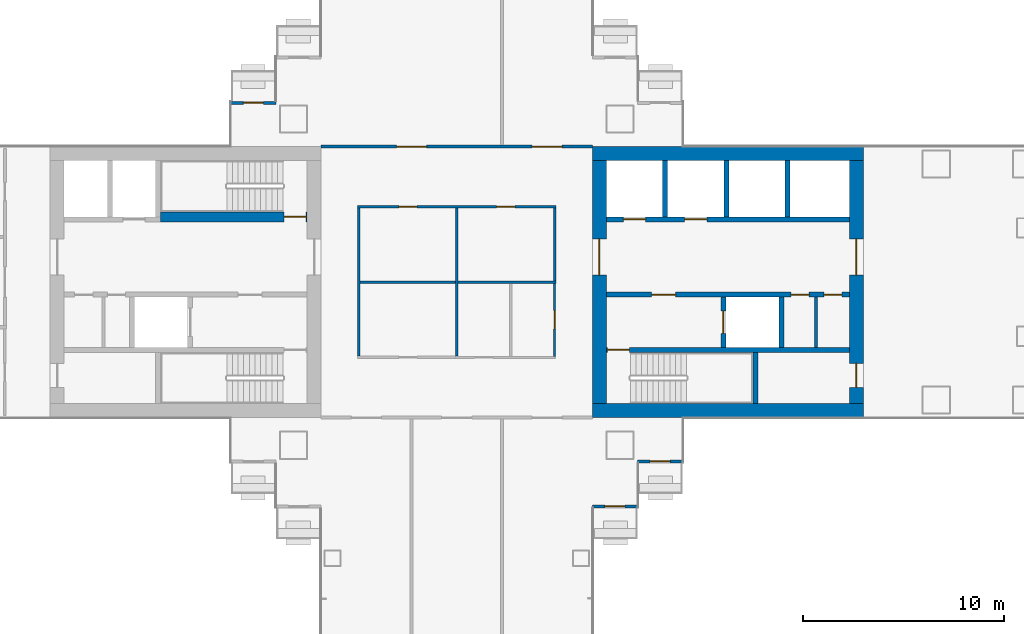
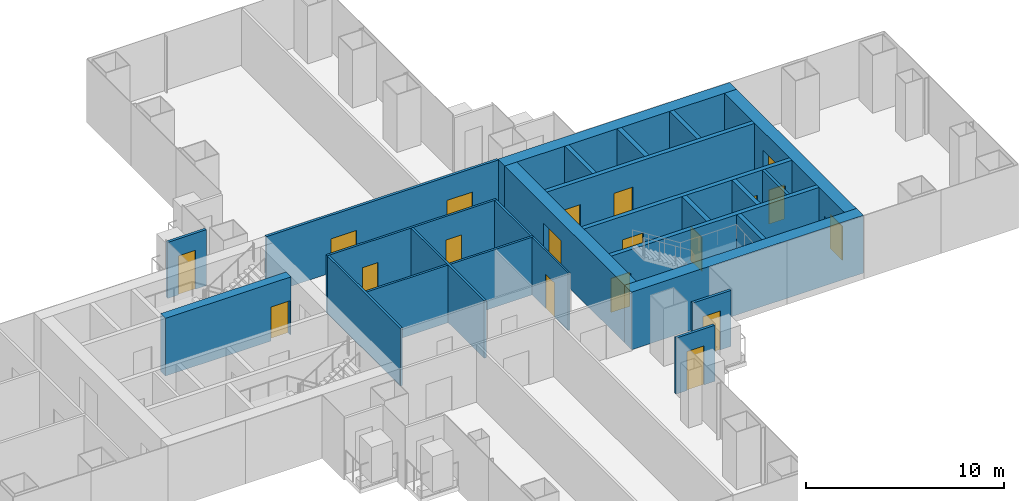
# One storey, part 14 of 21: 25 walls, 19 doors, 19 openings.
"""IFC4 building model written with IfcOpenShell, lengths in metres."""

from ifc_helpers import new_model, si_unit, direction, frame, frame_2d, origin, place, context, subcontext, project, spatial, rectangle, extrude, material, layer, layer_set, type_object, element, fill, save


model = new_model("IFC4")

# Units and contexts
model_context = context("Model", 3, precision=1e-05, world=origin(), true_north=direction((0.0, 1.0)))
body_context = subcontext(model_context, "Body", "Model", "MODEL_VIEW")
ifc_project = project(units=[si_unit("LENGTHUNIT", "METRE"), si_unit("AREAUNIT", "SQUARE_METRE"), si_unit("VOLUMEUNIT", "CUBIC_METRE"), si_unit("PLANEANGLEUNIT", "RADIAN"), si_unit("MASSUNIT", "GRAM", prefix="KILO")], contexts=[model_context])

# Site, building, storey
site_placement = place(None, origin())
site = spatial("IfcSite", under=ifc_project, at=site_placement, CompositionType="ELEMENT")
building_placement = place(site_placement, origin())
building = spatial("IfcBuilding", under=site, at=building_placement, Name="Shamsa Quay Exchange Towers", CompositionType="ELEMENT")
storey_placement = place(building_placement, frame((0.0, 0.0, 42.0)))
storey = spatial("IfcBuildingStorey", under=building, at=storey_placement, Name="L08", CompositionType="ELEMENT", Elevation=42.0)

# Wall, opening, door
ifc_material_1 = material(Name="Aluminium EN AW-6063 T6, black anodised, with black enamelled glass infill", Category="aluminium")
ifc_layer_1 = layer(ifc_material_1, 0.14990234375)
ifc_layer_set_1 = layer_set([ifc_layer_1], Name="BALCONY DOOR BAY WALL 150")
wall_type_1 = type_object("IfcWallType", Name="BALCONY DOOR BAY WALL 150", PredefinedType="SOLIDWALL", material=ifc_layer_set_1)
wall_1_placement = place(storey_placement, frame((-22.5, -8.925048828125, 0.0), z_axis=(0.0, 0.0, 1.0), x_axis=(-1.0, 0.0, 0.0)))
wall_1 = element("IfcWall", 1, at=wall_1_placement, inside=storey, type_object=wall_type_1, Name="Door bay T1-PKES L08", PredefinedType="SOLIDWALL", context=body_context, shape_type="SweptSolid", body=[
    extrude(rectangle(XDim=2.25, YDim=0.14990234375, at=frame_2d((1.125, 0.0))), origin(), (0.0, 0.0, 1.0), 3.449951171875),
])
opening_1_placement = place(wall_1_placement, frame((0.625, 0.0, 0.0)))
opening_1 = element("IfcOpeningElement", 2, at=opening_1_placement, cuts=wall_1, Name="Opening XD043", PredefinedType="OPENING", context=body_context, shape_type="SweptSolid", body=[
    extrude(rectangle(XDim=1.0, YDim=2.39990234375, at=frame_2d((0.5, 1.199951171875))), frame((0.0, 0.0849609375, 0.0), z_axis=(0.0, -1.0, 0.0), x_axis=(1.0, 0.0, 0.0)), (0.0, 0.0, 1.0), 0.169921875),
])
ifc_material_2 = material(Name="Aluminium EN AW-6063 T6, black anodised, with laminated glass leaf", Category="aluminium")
door_type_1 = type_object("IfcDoorType", Name="BALCONY DOOR 1000x2400", OperationType="SINGLE_SWING_LEFT", PredefinedType="DOOR", material=ifc_material_2)
door_1_placement = place(opening_1_placement, origin())
door_1 = element("IfcDoor", 3, at=door_1_placement, inside=storey, type_object=door_type_1, Name="Balcony door T1-PKES L08", OperationType="SINGLE_SWING_RIGHT", OverallHeight=2.39990234375, OverallWidth=1.0, PredefinedType="DOOR", context=body_context, shape_type="SweptSolid", body=[
    extrude(rectangle(XDim=1.0, YDim=2.39990234375, at=frame_2d((0.5, 1.199951171875))), frame((0.0, 0.02490234375, 0.0), z_axis=(0.0, -1.0, 0.0), x_axis=(1.0, 0.0, 0.0)), (0.0, 0.0, 1.0), 0.050048828125),
])
fill(opening_1, door_1)

wall_2_placement = place(storey_placement, frame((-24.75, -11.175048828125, 0.0), z_axis=(0.0, 0.0, 1.0), x_axis=(-1.0, 0.0, 0.0)))
wall_2 = element("IfcWall", 4, at=wall_2_placement, inside=storey, type_object=wall_type_1, Name="Door bay T1-PKES L08", PredefinedType="SOLIDWALL", context=body_context, shape_type="SweptSolid", body=[
    extrude(rectangle(XDim=2.25, YDim=0.14990234375, at=frame_2d((1.125, 0.0))), origin(), (0.0, 0.0, 1.0), 3.449951171875),
])
opening_2_placement = place(wall_2_placement, frame((0.625, 0.0, 0.0)))
opening_2 = element("IfcOpeningElement", 5, at=opening_2_placement, cuts=wall_2, Name="Opening XD044", PredefinedType="OPENING", context=body_context, shape_type="SweptSolid", body=[
    extrude(rectangle(XDim=1.0, YDim=2.39990234375, at=frame_2d((0.5, 1.199951171875))), frame((0.0, 0.0849609375, 0.0), z_axis=(0.0, -1.0, 0.0), x_axis=(1.0, 0.0, 0.0)), (0.0, 0.0, 1.0), 0.169921875),
])
door_2_placement = place(opening_2_placement, origin())
door_2 = element("IfcDoor", 6, at=door_2_placement, inside=storey, type_object=door_type_1, Name="Balcony door T1-PKES L08", OperationType="SINGLE_SWING_LEFT", OverallHeight=2.39990234375, OverallWidth=1.0, PredefinedType="DOOR", context=body_context, shape_type="SweptSolid", body=[
    extrude(rectangle(XDim=1.0, YDim=2.39990234375, at=frame_2d((0.5, 1.199951171875))), frame((0.0, 0.02490234375, 0.0), z_axis=(0.0, -1.0, 0.0), x_axis=(1.0, 0.0, 0.0)), (0.0, 0.0, 1.0), 0.050048828125),
])
fill(opening_2, door_2)

wall_3_placement = place(storey_placement, frame((-45.0, 8.925048828125, 0.0)))
wall_3 = element("IfcWall", 7, at=wall_3_placement, inside=storey, type_object=wall_type_1, Name="Door bay T1-PKWN L08", PredefinedType="SOLIDWALL", context=body_context, shape_type="SweptSolid", body=[
    extrude(rectangle(XDim=2.25, YDim=0.14990234375, at=frame_2d((1.125, 0.0))), origin(), (0.0, 0.0, 1.0), 3.449951171875),
])
opening_3_placement = place(wall_3_placement, frame((0.625, 0.0, 0.0)))
opening_3 = element("IfcOpeningElement", 8, at=opening_3_placement, cuts=wall_3, Name="Opening XD046", PredefinedType="OPENING", context=body_context, shape_type="SweptSolid", body=[
    extrude(rectangle(XDim=1.0, YDim=2.39990234375, at=frame_2d((0.5, 1.199951171875))), frame((0.0, 0.0849609375, 0.0), z_axis=(0.0, -1.0, 0.0), x_axis=(1.0, 0.0, 0.0)), (0.0, 0.0, 1.0), 0.169921875),
])
door_3_placement = place(opening_3_placement, origin())
door_3 = element("IfcDoor", 9, at=door_3_placement, inside=storey, type_object=door_type_1, Name="Balcony door T1-PKWN L08", OperationType="SINGLE_SWING_RIGHT", OverallHeight=2.39990234375, OverallWidth=1.0, PredefinedType="DOOR", context=body_context, shape_type="SweptSolid", body=[
    extrude(rectangle(XDim=1.0, YDim=2.39990234375, at=frame_2d((0.5, 1.199951171875))), frame((0.0, 0.02490234375, 0.0), z_axis=(0.0, -1.0, 0.0), x_axis=(1.0, 0.0, 0.0)), (0.0, 0.0, 1.0), 0.050048828125),
])
fill(opening_3, door_3)

# Walls
ifc_material_3 = material(Name="Concrete C80/95", Category="concrete")
ifc_layer_2 = layer(ifc_material_3, 0.699951171875)
ifc_layer_set_2 = layer_set([ifc_layer_2], Name="CORE WALL 700 C80/95")
wall_type_2 = type_object("IfcWallType", Name="CORE WALL 700 C80/95", PredefinedType="SHEAR", material=ifc_layer_set_2)
for number, where, name in (
    (10, (-27.0, -6.39990234375, 0.0), "Core wall T1A-R03-PS"),
    (11, (-27.0, 6.39990234375, 0.0), "Core wall T1A-R03-PN"),
):
    element("IfcWall", number, at=place(storey_placement, frame(where)), inside=storey, type_object=wall_type_2, Name=name, PredefinedType="SHEAR", context=body_context, shape_type="SweptSolid", body=[
        extrude(rectangle(XDim=13.5, YDim=0.699951171875, at=frame_2d((6.75, 0.0))), origin(), (0.0, 0.0, 1.0), 3.550048828125),
    ])

# Wall, opening, door
wall_4_placement = place(storey_placement, frame((-26.64990234375, 6.050048828125, 0.0), z_axis=(0.0, 0.0, 1.0), x_axis=(0.0, -1.0, 0.0)))
wall_4 = element("IfcWall", 12, at=wall_4_placement, inside=storey, type_object=wall_type_2, Name="Core wall T1A-R03-PF", PredefinedType="SHEAR", context=body_context, shape_type="SweptSolid", body=[
    extrude(rectangle(XDim=12.10009765625, YDim=0.699951171875, at=frame_2d((6.050048828125, 0.0))), origin(), (0.0, 0.0, 1.0), 3.550048828125),
])
opening_4_placement = place(wall_4_placement, frame((3.89990234375, 0.0, 0.0)))
opening_4 = element("IfcOpeningElement", 13, at=opening_4_placement, cuts=wall_4, Name="Opening T1A-R03-LBD01", PredefinedType="OPENING", context=body_context, shape_type="SweptSolid", body=[
    extrude(rectangle(XDim=1.800048828125, YDim=2.39990234375, at=frame_2d((0.89990234375, 1.199951171875))), frame((0.0, 0.35986328125, 0.0), z_axis=(0.0, -1.0, 0.0), x_axis=(1.0, 0.0, 0.0)), (0.0, 0.0, 1.0), 0.719970703125),
])
ifc_material_4 = material(Name="Steel, fire rated", Category="steel")
door_type_2 = type_object("IfcDoorType", Name="LIFT LOBBY DOOR PAIR 1800", OperationType="DOUBLE_DOOR_SINGLE_SWING", PredefinedType="DOOR", material=ifc_material_4)
door_4_placement = place(opening_4_placement, origin())
door_4 = element("IfcDoor", 14, at=door_4_placement, inside=storey, type_object=door_type_2, Name="T1A-R03-LBD01", OperationType="DOUBLE_DOOR_SINGLE_SWING", OverallHeight=2.39990234375, OverallWidth=1.800048828125, PredefinedType="DOOR", context=body_context, shape_type="SweptSolid", body=[
    extrude(rectangle(XDim=1.800048828125, YDim=2.39990234375, at=frame_2d((0.89990234375, 1.199951171875))), frame((0.0, 0.02490234375, 0.0), z_axis=(0.0, -1.0, 0.0), x_axis=(1.0, 0.0, 0.0)), (0.0, 0.0, 1.0), 0.050048828125),
])
fill(opening_4, door_4)

# Wall, openings, doors
wall_5_placement = place(storey_placement, frame((-13.85009765625, 6.050048828125, 0.0), z_axis=(0.0, 0.0, 1.0), x_axis=(0.0, -1.0, 0.0)))
wall_5 = element("IfcWall", 15, at=wall_5_placement, inside=storey, type_object=wall_type_2, Name="Core wall T1A-R03-PB", PredefinedType="SHEAR", context=body_context, shape_type="SweptSolid", body=[
    extrude(rectangle(XDim=12.10009765625, YDim=0.699951171875, at=frame_2d((6.050048828125, 0.0))), origin(), (0.0, 0.0, 1.0), 3.550048828125),
])
opening_5_placement = place(wall_5_placement, frame((10.10009765625, 0.0, 0.0)))
opening_5 = element("IfcOpeningElement", 16, at=opening_5_placement, cuts=wall_5, Name="Opening T1A-R03-RD02", PredefinedType="OPENING", context=body_context, shape_type="SweptSolid", body=[
    extrude(rectangle(XDim=1.199951171875, YDim=2.10009765625, at=frame_2d((0.60009765625, 1.050048828125))), frame((0.0, 0.35986328125, 0.0), z_axis=(0.0, -1.0, 0.0), x_axis=(1.0, 0.0, 0.0)), (0.0, 0.0, 1.0), 0.719970703125),
])
opening_6_placement = place(wall_5_placement, frame((3.89990234375, 0.0, 0.0)))
opening_6 = element("IfcOpeningElement", 17, at=opening_6_placement, cuts=wall_5, Name="Opening T1A-R03-LBD03", PredefinedType="OPENING", context=body_context, shape_type="SweptSolid", body=[
    extrude(rectangle(XDim=1.800048828125, YDim=2.39990234375, at=frame_2d((0.89990234375, 1.199951171875))), frame((0.0, 0.35986328125, 0.0), z_axis=(0.0, -1.0, 0.0), x_axis=(1.0, 0.0, 0.0)), (0.0, 0.0, 1.0), 0.719970703125),
])
door_5_placement = place(opening_6_placement, origin())
door_5 = element("IfcDoor", 18, at=door_5_placement, inside=storey, type_object=door_type_2, Name="T1A-R03-LBD03", OperationType="DOUBLE_DOOR_SINGLE_SWING", OverallHeight=2.39990234375, OverallWidth=1.800048828125, PredefinedType="DOOR", context=body_context, shape_type="SweptSolid", body=[
    extrude(rectangle(XDim=1.800048828125, YDim=2.39990234375, at=frame_2d((0.89990234375, 1.199951171875))), frame((0.0, 0.02490234375, 0.0), z_axis=(0.0, -1.0, 0.0), x_axis=(1.0, 0.0, 0.0)), (0.0, 0.0, 1.0), 0.050048828125),
])
fill(opening_6, door_5)
door_type_3 = type_object("IfcDoorType", Name="RISER ACCESS DOOR 1200", OperationType="SINGLE_SWING_LEFT", PredefinedType="DOOR", material=ifc_material_4)
door_6_placement = place(opening_5_placement, origin())
door_6 = element("IfcDoor", 19, at=door_6_placement, inside=storey, type_object=door_type_3, Name="T1A-R03-RD02", OperationType="SINGLE_SWING_RIGHT", OverallHeight=2.10009765625, OverallWidth=1.199951171875, PredefinedType="DOOR", context=body_context, shape_type="SweptSolid", body=[
    extrude(rectangle(XDim=1.199951171875, YDim=2.10009765625, at=frame_2d((0.60009765625, 1.050048828125))), frame((0.0, 0.02490234375, 0.0), z_axis=(0.0, -1.0, 0.0), x_axis=(1.0, 0.0, 0.0)), (0.0, 0.0, 1.0), 0.050048828125),
])
fill(opening_5, door_6)

# Walls
ifc_material_5 = material(Name="Gypsum board on steel studs, EI 60", Category="steel")
ifc_layer_3 = layer(ifc_material_5, 0.14990234375)
ifc_layer_set_3 = layer_set([ifc_layer_3], Name="FIRE PARTITION 150")
wall_type_3 = type_object("IfcWallType", Name="FIRE PARTITION 150", PredefinedType="PARTITIONING", material=ifc_layer_set_3)
wall_6_placement = place(storey_placement, frame((-15.85009765625, -3.25, 0.0), z_axis=(0.0, 0.0, 1.0), x_axis=(0.0, 1.0, 0.0)))
element("IfcWall", 20, at=wall_6_placement, inside=storey, type_object=wall_type_3, Name="Partition T1A-R03-EC0", PredefinedType="PARTITIONING", context=body_context, shape_type="SweptSolid", body=[
    extrude(rectangle(XDim=2.5, YDim=0.14990234375, at=frame_2d((1.25, 0.0))), origin(), (0.0, 0.0, 1.0), 3.550048828125),
])
ifc_material_6 = material(Name="Laminated fire-resisting glass in a metal frame", Category="glass")
ifc_layer_4 = layer(ifc_material_6, 0.125)
ifc_layer_set_4 = layer_set([ifc_layer_4], Name="Glazed partition 125 mm EI 60")
wall_type_4 = type_object("IfcWallType", Name="Glazed partition 125 mm EI 60", PredefinedType="PARTITIONING", material=ifc_layer_set_4)
wall_7_placement = place(storey_placement, frame((-28.875, 0.0625, 0.0), z_axis=(0.0, 0.0, 1.0), x_axis=(0.0, 1.0, 0.0)))
element("IfcWall", 21, at=wall_7_placement, inside=storey, type_object=wall_type_4, Name="Partition T1-R03-W01", PredefinedType="PARTITIONING", context=body_context, shape_type="SweptSolid", body=[
    extrude(rectangle(XDim=3.625, YDim=0.125, at=frame_2d((1.8125, 0.0))), origin(), (0.0, 0.0, 1.0), 3.550048828125),
])

# Wall, openings, doors
wall_8_placement = place(storey_placement, frame((-28.8125, 3.75, 0.0), z_axis=(0.0, 0.0, 1.0), x_axis=(-1.0, 0.0, 0.0)))
wall_8 = element("IfcWall", 22, at=wall_8_placement, inside=storey, type_object=wall_type_4, Name="Partition T1-R03-W02", PredefinedType="PARTITIONING", context=body_context, shape_type="SweptSolid", body=[
    extrude(rectangle(XDim=9.875, YDim=0.125, at=frame_2d((4.9375, 0.0))), origin(), (0.0, 0.0, 1.0), 3.550048828125),
])
opening_7_placement = place(wall_8_placement, frame((2.050048828125, 0.0, 0.0)))
opening_7 = element("IfcOpeningElement", 23, at=opening_7_placement, cuts=wall_8, Name="Opening T1-R03-D09", PredefinedType="OPENING", context=body_context, shape_type="SweptSolid", body=[
    extrude(rectangle(XDim=0.89990234375, YDim=2.10009765625, at=frame_2d((0.449951171875, 1.050048828125))), frame((0.0, 0.072509765625, 0.0), z_axis=(0.0, -1.0, 0.0), x_axis=(1.0, 0.0, 0.0)), (0.0, 0.0, 1.0), 0.14501953125),
])
opening_8_placement = place(wall_8_placement, frame((6.925048828125, 0.0, 0.0)))
opening_8 = element("IfcOpeningElement", 24, at=opening_8_placement, cuts=wall_8, Name="Opening T1-R03-D10", PredefinedType="OPENING", context=body_context, shape_type="SweptSolid", body=[
    extrude(rectangle(XDim=0.89990234375, YDim=2.10009765625, at=frame_2d((0.449951171875, 1.050048828125))), frame((0.0, 0.072509765625, 0.0), z_axis=(0.0, -1.0, 0.0), x_axis=(1.0, 0.0, 0.0)), (0.0, 0.0, 1.0), 0.14501953125),
])
ifc_material_7 = material(Name="Timber door leaf in a metal frame", Category="wood")
door_type_4 = type_object("IfcDoorType", Name="Door 900x2100 FD30S", OperationType="NOTDEFINED", PredefinedType="DOOR", material=ifc_material_7)
door_7_placement = place(opening_7_placement, origin())
door_7 = element("IfcDoor", 25, at=door_7_placement, inside=storey, type_object=door_type_4, Name="Door T1-R03-D09", OperationType="SINGLE_SWING_RIGHT", OverallHeight=2.10009765625, OverallWidth=0.89990234375, PredefinedType="DOOR", context=body_context, shape_type="SweptSolid", body=[
    extrude(rectangle(XDim=0.89990234375, YDim=2.10009765625, at=frame_2d((0.449951171875, 1.050048828125))), frame((0.0, 0.02490234375, 0.0), z_axis=(0.0, -1.0, 0.0), x_axis=(1.0, 0.0, 0.0)), (0.0, 0.0, 1.0), 0.050048828125),
])
fill(opening_7, door_7)
door_8_placement = place(opening_8_placement, origin())
door_8 = element("IfcDoor", 26, at=door_8_placement, inside=storey, type_object=door_type_4, Name="Door T1-R03-D10", OperationType="SINGLE_SWING_RIGHT", OverallHeight=2.10009765625, OverallWidth=0.89990234375, PredefinedType="DOOR", context=body_context, shape_type="SweptSolid", body=[
    extrude(rectangle(XDim=0.89990234375, YDim=2.10009765625, at=frame_2d((0.449951171875, 1.050048828125))), frame((0.0, 0.02490234375, 0.0), z_axis=(0.0, -1.0, 0.0), x_axis=(1.0, 0.0, 0.0)), (0.0, 0.0, 1.0), 0.050048828125),
])
fill(opening_8, door_8)

# Walls
wall_9_placement = place(storey_placement, frame((-38.625, 3.6875, 0.0), z_axis=(0.0, 0.0, 1.0), x_axis=(0.0, -1.0, 0.0)))
element("IfcWall", 27, at=wall_9_placement, inside=storey, type_object=wall_type_4, Name="Partition T1-R03-W05", PredefinedType="PARTITIONING", context=body_context, shape_type="SweptSolid", body=[
    extrude(rectangle(XDim=7.375, YDim=0.125, at=frame_2d((3.6875, 0.0))), origin(), (0.0, 0.0, 1.0), 3.550048828125),
])
wall_10_placement = place(storey_placement, frame((-38.5625, 0.0, 0.0)))
element("IfcWall", 28, at=wall_10_placement, inside=storey, type_object=wall_type_4, Name="Partition T1-R03-W11", PredefinedType="PARTITIONING", context=body_context, shape_type="SweptSolid", body=[
    extrude(rectangle(XDim=9.75, YDim=0.125, at=frame_2d((4.875, 0.0))), origin(), (0.0, 0.0, 1.0), 3.550048828125),
])
wall_11_placement = place(storey_placement, frame((-33.75, 3.6875, 0.0), z_axis=(0.0, 0.0, 1.0), x_axis=(0.0, -1.0, 0.0)))
element("IfcWall", 29, at=wall_11_placement, inside=storey, type_object=wall_type_4, Name="Partition T1-R03-W12", PredefinedType="PARTITIONING", context=body_context, shape_type="SweptSolid", body=[
    extrude(rectangle(XDim=7.375, YDim=0.125, at=frame_2d((3.6875, 0.0))), origin(), (0.0, 0.0, 1.0), 3.550048828125),
])

# Wall, opening, door
ifc_material_8 = material(Name="Gypsum board partition on metal studs")
ifc_layer_5 = layer(ifc_material_8, 0.10009765625)
ifc_layer_set_5 = layer_set([ifc_layer_5], Name="Partition 100 mm NOT RATED")
wall_type_5 = type_object("IfcWallType", Name="Partition 100 mm NOT RATED", PredefinedType="PARTITIONING", material=ifc_layer_set_5)
wall_12_placement = place(storey_placement, frame((-28.875, -3.699951171875, 0.0), z_axis=(0.0, 0.0, 1.0), x_axis=(0.0, 1.0, 0.0)))
wall_12 = element("IfcWall", 30, at=wall_12_placement, inside=storey, type_object=wall_type_5, Name="Partition T1-R03-W04", PredefinedType="PARTITIONING", context=body_context, shape_type="SweptSolid", body=[
    extrude(rectangle(XDim=3.637451171875, YDim=0.10009765625, at=frame_2d((1.81884765625, 0.0))), origin(), (0.0, 0.0, 1.0), 3.550048828125),
])
opening_9_placement = place(wall_12_placement, frame((1.375, 0.0, 0.0)))
opening_9 = element("IfcOpeningElement", 31, at=opening_9_placement, cuts=wall_12, Name="Opening T1-R03-D08", PredefinedType="OPENING", context=body_context, shape_type="SweptSolid", body=[
    extrude(rectangle(XDim=0.89990234375, YDim=2.10009765625, at=frame_2d((0.449951171875, 1.050048828125))), frame((0.0, 0.06005859375, 0.0), z_axis=(0.0, -1.0, 0.0), x_axis=(1.0, 0.0, 0.0)), (0.0, 0.0, 1.0), 0.1201171875),
])
door_type_5 = type_object("IfcDoorType", Name="Door 900x2100 NOT RATED", OperationType="NOTDEFINED", PredefinedType="DOOR", material=ifc_material_7)
door_9_placement = place(opening_9_placement, origin())
door_9 = element("IfcDoor", 32, at=door_9_placement, inside=storey, type_object=door_type_5, Name="Door T1-R03-D08", OperationType="SINGLE_SWING_LEFT", OverallHeight=2.10009765625, OverallWidth=0.89990234375, PredefinedType="DOOR", context=body_context, shape_type="SweptSolid", body=[
    extrude(rectangle(XDim=0.89990234375, YDim=2.10009765625, at=frame_2d((0.449951171875, 1.050048828125))), frame((0.0, 0.02490234375, 0.0), z_axis=(0.0, -1.0, 0.0), x_axis=(1.0, 0.0, 0.0)), (0.0, 0.0, 1.0), 0.050048828125),
])
fill(opening_9, door_9)

# Wall, openings, doors
ifc_layer_6 = layer(ifc_material_8, 0.14990234375)
ifc_layer_set_6 = layer_set([ifc_layer_6], Name="Partition 150 mm EI 60")
wall_type_6 = type_object("IfcWallType", Name="Partition 150 mm EI 60", PredefinedType="PARTITIONING", material=ifc_layer_set_6)
wall_13_placement = place(storey_placement, frame((-40.5, 6.75, 0.0)))
wall_13 = element("IfcWall", 33, at=wall_13_placement, inside=storey, type_object=wall_type_6, Name="Partition T1-R03-W07", PredefinedType="PARTITIONING", context=body_context, shape_type="SweptSolid", body=[
    extrude(rectangle(XDim=13.5, YDim=0.14990234375, at=frame_2d((6.75, 0.0))), origin(), (0.0, 0.0, 1.0), 3.550048828125),
])
opening_10_placement = place(wall_13_placement, frame((3.75, 0.0, 0.0)))
opening_10 = element("IfcOpeningElement", 34, at=opening_10_placement, cuts=wall_13, Name="Opening T1-R03-D04", PredefinedType="OPENING", context=body_context, shape_type="SweptSolid", body=[
    extrude(rectangle(XDim=1.5, YDim=2.10009765625, at=frame_2d((0.75, 1.050048828125))), frame((0.0, 0.0849609375, 0.0), z_axis=(0.0, -1.0, 0.0), x_axis=(1.0, 0.0, 0.0)), (0.0, 0.0, 1.0), 0.169921875),
])
opening_11_placement = place(wall_13_placement, frame((10.5, 0.0, 0.0)))
opening_11 = element("IfcOpeningElement", 35, at=opening_11_placement, cuts=wall_13, Name="Opening T1-R03-D05", PredefinedType="OPENING", context=body_context, shape_type="SweptSolid", body=[
    extrude(rectangle(XDim=1.5, YDim=2.10009765625, at=frame_2d((0.75, 1.050048828125))), frame((0.0, 0.0849609375, 0.0), z_axis=(0.0, -1.0, 0.0), x_axis=(1.0, 0.0, 0.0)), (0.0, 0.0, 1.0), 0.169921875),
])
door_type_6 = type_object("IfcDoorType", Name="Door 1500x2100 FD30S pair", OperationType="NOTDEFINED", PredefinedType="DOOR", material=ifc_material_7)
door_10_placement = place(opening_10_placement, origin())
door_10 = element("IfcDoor", 36, at=door_10_placement, inside=storey, type_object=door_type_6, Name="Door T1-R03-D04", OperationType="DOUBLE_DOOR_SINGLE_SWING", OverallHeight=2.10009765625, OverallWidth=1.5, PredefinedType="DOOR", context=body_context, shape_type="SweptSolid", body=[
    extrude(rectangle(XDim=1.5, YDim=2.10009765625, at=frame_2d((0.75, 1.050048828125))), frame((0.0, 0.02490234375, 0.0), z_axis=(0.0, -1.0, 0.0), x_axis=(1.0, 0.0, 0.0)), (0.0, 0.0, 1.0), 0.050048828125),
])
fill(opening_10, door_10)
door_11_placement = place(opening_11_placement, origin())
door_11 = element("IfcDoor", 37, at=door_11_placement, inside=storey, type_object=door_type_6, Name="Door T1-R03-D05", OperationType="DOUBLE_DOOR_SINGLE_SWING", OverallHeight=2.10009765625, OverallWidth=1.5, PredefinedType="DOOR", context=body_context, shape_type="SweptSolid", body=[
    extrude(rectangle(XDim=1.5, YDim=2.10009765625, at=frame_2d((0.75, 1.050048828125))), frame((0.0, 0.02490234375, 0.0), z_axis=(0.0, -1.0, 0.0), x_axis=(1.0, 0.0, 0.0)), (0.0, 0.0, 1.0), 0.050048828125),
])
fill(opening_11, door_11)

# Wall, opening, door
ifc_material_9 = material(Name="Concrete C50/60", Category="concrete")
ifc_layer_7 = layer(ifc_material_9, 0.25)
ifc_layer_set_7 = layer_set([ifc_layer_7], Name="SHAFT WALL 250 C50/60")
wall_type_7 = type_object("IfcWallType", Name="SHAFT WALL 250 C50/60", PredefinedType="SHEAR", material=ifc_layer_set_7)
wall_14_placement = place(storey_placement, frame((-14.199951171875, -3.375, 0.0), z_axis=(0.0, 0.0, 1.0), x_axis=(-1.0, 0.0, 0.0)))
wall_14 = element("IfcWall", 38, at=wall_14_placement, inside=storey, type_object=wall_type_7, Name="Shaft wall T1A-R03-STL", PredefinedType="SHEAR", context=body_context, shape_type="SweptSolid", body=[
    extrude(rectangle(XDim=12.10009765625, YDim=0.25, at=frame_2d((6.050048828125, 0.0))), origin(), (0.0, 0.0, 1.0), 3.550048828125),
])
opening_12_placement = place(wall_14_placement, frame((10.949951171875, 0.0, 0.0)))
opening_12 = element("IfcOpeningElement", 39, at=opening_12_placement, cuts=wall_14, Name="Opening T1A-R03-SD04", PredefinedType="OPENING", context=body_context, shape_type="SweptSolid", body=[
    extrude(rectangle(XDim=1.10009765625, YDim=2.10009765625, at=frame_2d((0.550048828125, 1.050048828125))), frame((0.0, 0.135009765625, 0.0), z_axis=(0.0, -1.0, 0.0), x_axis=(1.0, 0.0, 0.0)), (0.0, 0.0, 1.0), 0.27001953125),
])
door_type_7 = type_object("IfcDoorType", Name="STAIR DOOR 1100", OperationType="SINGLE_SWING_LEFT", PredefinedType="DOOR", material=ifc_material_4)
door_12_placement = place(opening_12_placement, origin())
door_12 = element("IfcDoor", 40, at=door_12_placement, inside=storey, type_object=door_type_7, Name="T1A-R03-SD04", OperationType="SINGLE_SWING_RIGHT", OverallHeight=2.10009765625, OverallWidth=1.10009765625, PredefinedType="DOOR", context=body_context, shape_type="SweptSolid", body=[
    extrude(rectangle(XDim=1.10009765625, YDim=2.10009765625, at=frame_2d((0.550048828125, 1.050048828125))), frame((0.0, 0.02490234375, 0.0), z_axis=(0.0, -1.0, 0.0), x_axis=(1.0, 0.0, 0.0)), (0.0, 0.0, 1.0), 0.050048828125),
])
fill(opening_12, door_12)

# Wall
wall_15_placement = place(storey_placement, frame((-18.875, -6.050048828125, 0.0), z_axis=(0.0, 0.0, 1.0), x_axis=(0.0, 1.0, 0.0)))
element("IfcWall", 41, at=wall_15_placement, inside=storey, type_object=wall_type_7, Name="Shaft wall T1A-R03-STF", PredefinedType="SHEAR", context=body_context, shape_type="SweptSolid", body=[
    extrude(rectangle(XDim=2.550048828125, YDim=0.25, at=frame_2d((1.27490234375, 0.0))), origin(), (0.0, 0.0, 1.0), 3.550048828125),
])

# Wall, openings, doors
wall_16_placement = place(storey_placement, frame((-14.199951171875, -0.625, 0.0), z_axis=(0.0, 0.0, 1.0), x_axis=(-1.0, 0.0, 0.0)))
wall_16 = element("IfcWall", 42, at=wall_16_placement, inside=storey, type_object=wall_type_7, Name="Shaft wall T1A-R03-B", PredefinedType="SHEAR", context=body_context, shape_type="SweptSolid", body=[
    extrude(rectangle(XDim=12.10009765625, YDim=0.25, at=frame_2d((6.050048828125, 0.0))), origin(), (0.0, 0.0, 1.0), 3.550048828125),
])
opening_13_placement = place(wall_16_placement, frame((8.64990234375, 0.0, 0.0)))
opening_13 = element("IfcOpeningElement", 43, at=opening_13_placement, cuts=wall_16, Name="Opening T1A-R03-FD05", PredefinedType="OPENING", context=body_context, shape_type="SweptSolid", body=[
    extrude(rectangle(XDim=1.199951171875, YDim=2.10009765625, at=frame_2d((0.60009765625, 1.050048828125))), frame((0.0, 0.135009765625, 0.0), z_axis=(0.0, -1.0, 0.0), x_axis=(1.0, 0.0, 0.0)), (0.0, 0.0, 1.0), 0.27001953125),
])
opening_14_placement = place(wall_16_placement, frame((2.0, 0.0, 0.0)))
opening_14 = element("IfcOpeningElement", 44, at=opening_14_placement, cuts=wall_16, Name="Opening T1A-R03-SV06", PredefinedType="OPENING", context=body_context, shape_type="SweptSolid", body=[
    extrude(rectangle(XDim=0.89990234375, YDim=2.10009765625, at=frame_2d((0.449951171875, 1.050048828125))), frame((0.0, 0.135009765625, 0.0), z_axis=(0.0, -1.0, 0.0), x_axis=(1.0, 0.0, 0.0)), (0.0, 0.0, 1.0), 0.27001953125),
])
opening_15_placement = place(wall_16_placement, frame((0.375, 0.0, 0.0)))
opening_15 = element("IfcOpeningElement", 45, at=opening_15_placement, cuts=wall_16, Name="Opening T1A-R03-SV07", PredefinedType="OPENING", context=body_context, shape_type="SweptSolid", body=[
    extrude(rectangle(XDim=0.89990234375, YDim=2.10009765625, at=frame_2d((0.449951171875, 1.050048828125))), frame((0.0, 0.135009765625, 0.0), z_axis=(0.0, -1.0, 0.0), x_axis=(1.0, 0.0, 0.0)), (0.0, 0.0, 1.0), 0.27001953125),
])
door_type_8 = type_object("IfcDoorType", Name="FIRE SERVICE LOBBY DOOR 1200", OperationType="SINGLE_SWING_LEFT", PredefinedType="DOOR", material=ifc_material_4)
door_13_placement = place(opening_13_placement, origin())
door_13 = element("IfcDoor", 46, at=door_13_placement, inside=storey, type_object=door_type_8, Name="T1A-R03-FD05", OperationType="SINGLE_SWING_RIGHT", OverallHeight=2.10009765625, OverallWidth=1.199951171875, PredefinedType="DOOR", context=body_context, shape_type="SweptSolid", body=[
    extrude(rectangle(XDim=1.199951171875, YDim=2.10009765625, at=frame_2d((0.60009765625, 1.050048828125))), frame((0.0, 0.02490234375, 0.0), z_axis=(0.0, -1.0, 0.0), x_axis=(1.0, 0.0, 0.0)), (0.0, 0.0, 1.0), 0.050048828125),
])
fill(opening_13, door_13)
door_type_9 = type_object("IfcDoorType", Name="SERVICE ROOM DOOR 900", OperationType="SINGLE_SWING_LEFT", PredefinedType="DOOR", material=ifc_material_4)
door_14_placement = place(opening_14_placement, origin())
door_14 = element("IfcDoor", 47, at=door_14_placement, inside=storey, type_object=door_type_9, Name="T1A-R03-SV06", OperationType="SINGLE_SWING_LEFT", OverallHeight=2.10009765625, OverallWidth=0.89990234375, PredefinedType="DOOR", context=body_context, shape_type="SweptSolid", body=[
    extrude(rectangle(XDim=0.89990234375, YDim=2.10009765625, at=frame_2d((0.449951171875, 1.050048828125))), frame((0.0, 0.02490234375, 0.0), z_axis=(0.0, -1.0, 0.0), x_axis=(1.0, 0.0, 0.0)), (0.0, 0.0, 1.0), 0.050048828125),
])
fill(opening_14, door_14)
door_15_placement = place(opening_15_placement, origin())
door_15 = element("IfcDoor", 48, at=door_15_placement, inside=storey, type_object=door_type_9, Name="T1A-R03-SV07", OperationType="SINGLE_SWING_LEFT", OverallHeight=2.10009765625, OverallWidth=0.89990234375, PredefinedType="DOOR", context=body_context, shape_type="SweptSolid", body=[
    extrude(rectangle(XDim=0.89990234375, YDim=2.10009765625, at=frame_2d((0.449951171875, 1.050048828125))), frame((0.0, 0.02490234375, 0.0), z_axis=(0.0, -1.0, 0.0), x_axis=(1.0, 0.0, 0.0)), (0.0, 0.0, 1.0), 0.050048828125),
])
fill(opening_15, door_15)

# Wall, opening, door
wall_17_placement = place(storey_placement, frame((-20.47509765625, -3.25, 0.0), z_axis=(0.0, 0.0, 1.0), x_axis=(0.0, 1.0, 0.0)))
wall_17 = element("IfcWall", 49, at=wall_17_placement, inside=storey, type_object=wall_type_7, Name="Shaft wall T1A-R03-FFF", PredefinedType="SHEAR", context=body_context, shape_type="SweptSolid", body=[
    extrude(rectangle(XDim=2.5, YDim=0.25, at=frame_2d((1.25, 0.0))), origin(), (0.0, 0.0, 1.0), 3.550048828125),
])
opening_16_placement = place(wall_17_placement, frame((0.699951171875, 0.0, 0.0)))
opening_16 = element("IfcOpeningElement", 50, at=opening_16_placement, cuts=wall_17, Name="Opening T1A-R03-LDF08", PredefinedType="OPENING", context=body_context, shape_type="SweptSolid", body=[
    extrude(rectangle(XDim=1.10009765625, YDim=2.10009765625, at=frame_2d((0.550048828125, 1.050048828125))), frame((0.0, 0.135009765625, 0.0), z_axis=(0.0, -1.0, 0.0), x_axis=(1.0, 0.0, 0.0)), (0.0, 0.0, 1.0), 0.27001953125),
])
door_type_10 = type_object("IfcDoorType", Name="FIRE SERVICE LANDING DOOR 1100", OperationType="SLIDING_TO_LEFT", PredefinedType="DOOR", material=ifc_material_4)
door_16_placement = place(opening_16_placement, origin())
door_16 = element("IfcDoor", 51, at=door_16_placement, inside=storey, type_object=door_type_10, Name="T1A-R03-LDF08", OperationType="SLIDING_TO_LEFT", OverallHeight=2.10009765625, OverallWidth=1.10009765625, PredefinedType="DOOR", context=body_context, shape_type="SweptSolid", body=[
    extrude(rectangle(XDim=1.10009765625, YDim=2.10009765625, at=frame_2d((0.550048828125, 1.050048828125))), frame((0.0, 0.02490234375, 0.0), z_axis=(0.0, -1.0, 0.0), x_axis=(1.0, 0.0, 0.0)), (0.0, 0.0, 1.0), 0.050048828125),
])
fill(opening_16, door_16)

# Wall
wall_18_placement = place(storey_placement, frame((-17.574951171875, -3.25, 0.0), z_axis=(0.0, 0.0, 1.0), x_axis=(0.0, 1.0, 0.0)))
element("IfcWall", 52, at=wall_18_placement, inside=storey, type_object=wall_type_7, Name="Shaft wall T1A-R03-FFB", PredefinedType="SHEAR", context=body_context, shape_type="SweptSolid", body=[
    extrude(rectangle(XDim=2.5, YDim=0.25, at=frame_2d((1.25, 0.0))), origin(), (0.0, 0.0, 1.0), 3.550048828125),
])

# Wall, openings, doors
wall_19_placement = place(storey_placement, frame((-26.300048828125, 3.125, 0.0)))
wall_19 = element("IfcWall", 53, at=wall_19_placement, inside=storey, type_object=wall_type_7, Name="Shaft wall T1A-R03-N", PredefinedType="SHEAR", context=body_context, shape_type="SweptSolid", body=[
    extrude(rectangle(XDim=12.10009765625, YDim=0.25, at=frame_2d((6.050048828125, 0.0))), origin(), (0.0, 0.0, 1.0), 3.550048828125),
])
opening_17_placement = place(wall_19_placement, frame((0.85009765625, 0.0, 0.0)))
opening_17 = element("IfcOpeningElement", 54, at=opening_17_placement, cuts=wall_19, Name="Opening T1A-R03-LD09", PredefinedType="OPENING", context=body_context, shape_type="SweptSolid", body=[
    extrude(rectangle(XDim=1.10009765625, YDim=2.10009765625, at=frame_2d((0.550048828125, 1.050048828125))), frame((0.0, 0.135009765625, 0.0), z_axis=(0.0, -1.0, 0.0), x_axis=(1.0, 0.0, 0.0)), (0.0, 0.0, 1.0), 0.27001953125),
])
opening_18_placement = place(wall_19_placement, frame((3.89990234375, 0.0, 0.0)))
opening_18 = element("IfcOpeningElement", 55, at=opening_18_placement, cuts=wall_19, Name="Opening T1A-R03-LD10", PredefinedType="OPENING", context=body_context, shape_type="SweptSolid", body=[
    extrude(rectangle(XDim=1.10009765625, YDim=2.10009765625, at=frame_2d((0.550048828125, 1.050048828125))), frame((0.0, 0.135009765625, 0.0), z_axis=(0.0, -1.0, 0.0), x_axis=(1.0, 0.0, 0.0)), (0.0, 0.0, 1.0), 0.27001953125),
])
door_type_11 = type_object("IfcDoorType", Name="LANDING DOOR 1100", OperationType="SLIDING_TO_LEFT", PredefinedType="DOOR", material=ifc_material_4)
door_17_placement = place(opening_17_placement, origin())
door_17 = element("IfcDoor", 56, at=door_17_placement, inside=storey, type_object=door_type_11, Name="T1A-R03-LD09", OperationType="SLIDING_TO_LEFT", OverallHeight=2.10009765625, OverallWidth=1.10009765625, PredefinedType="DOOR", context=body_context, shape_type="SweptSolid", body=[
    extrude(rectangle(XDim=1.10009765625, YDim=2.10009765625, at=frame_2d((0.550048828125, 1.050048828125))), frame((0.0, 0.02490234375, 0.0), z_axis=(0.0, -1.0, 0.0), x_axis=(1.0, 0.0, 0.0)), (0.0, 0.0, 1.0), 0.050048828125),
])
fill(opening_17, door_17)
door_18_placement = place(opening_18_placement, origin())
door_18 = element("IfcDoor", 57, at=door_18_placement, inside=storey, type_object=door_type_11, Name="T1A-R03-LD10", OperationType="SLIDING_TO_LEFT", OverallHeight=2.10009765625, OverallWidth=1.10009765625, PredefinedType="DOOR", context=body_context, shape_type="SweptSolid", body=[
    extrude(rectangle(XDim=1.10009765625, YDim=2.10009765625, at=frame_2d((0.550048828125, 1.050048828125))), frame((0.0, 0.02490234375, 0.0), z_axis=(0.0, -1.0, 0.0), x_axis=(1.0, 0.0, 0.0)), (0.0, 0.0, 1.0), 0.050048828125),
])
fill(opening_18, door_18)

# Walls
for number, where, z_axis, x_axis, name in (
    (58, (-23.375, 3.25, 0.0), (0.0, 0.0, 1.0), (0.0, 1.0, 0.0), "Shaft wall T1A-R03-D0"),
    (59, (-20.324951171875, 3.25, 0.0), (0.0, 0.0, 1.0), (0.0, 1.0, 0.0), "Shaft wall T1A-R03-D1"),
    (60, (-17.27490234375, 3.25, 0.0), (0.0, 0.0, 1.0), (0.0, 1.0, 0.0), "Shaft wall T1A-R03-D2"),
):
    element("IfcWall", number, at=place(storey_placement, frame(where, z_axis=z_axis, x_axis=x_axis)), inside=storey, type_object=wall_type_7, Name=name, PredefinedType="SHEAR", context=body_context, shape_type="SweptSolid", body=[
        extrude(rectangle(XDim=2.800048828125, YDim=0.25, at=frame_2d((1.39990234375, 0.0))), origin(), (0.0, 0.0, 1.0), 3.550048828125),
    ])

# Wall, opening, door
ifc_layer_8 = layer(ifc_material_9, 0.5)
ifc_layer_set_8 = layer_set([ifc_layer_8], Name="SHAFT WALL 500 C50/60")
wall_type_8 = type_object("IfcWallType", Name="SHAFT WALL 500 C50/60", PredefinedType="SHEAR", material=ifc_layer_set_8)
wall_20_placement = place(storey_placement, frame((-48.5, 3.25, 0.0)))
wall_20 = element("IfcWall", 61, at=wall_20_placement, inside=storey, type_object=wall_type_8, Name="Shaft wall T1B-R03-N", PredefinedType="SHEAR", context=body_context, shape_type="SweptSolid", body=[
    extrude(rectangle(XDim=7.300048828125, YDim=0.5, at=frame_2d((3.64990234375, 0.0))), origin(), (0.0, 0.0, 1.0), 3.550048828125),
])
opening_19_placement = place(wall_20_placement, frame((6.14990234375, 0.0, 0.0)))
opening_19 = element("IfcOpeningElement", 62, at=opening_19_placement, cuts=wall_20, Name="Opening T1B-R03-SD09", PredefinedType="OPENING", context=body_context, shape_type="SweptSolid", body=[
    extrude(rectangle(XDim=1.10009765625, YDim=2.10009765625, at=frame_2d((0.550048828125, 1.050048828125))), frame((0.0, 0.260009765625, 0.0), z_axis=(0.0, -1.0, 0.0), x_axis=(1.0, 0.0, 0.0)), (0.0, 0.0, 1.0), 0.52001953125),
])
door_19_placement = place(opening_19_placement, origin())
door_19 = element("IfcDoor", 63, at=door_19_placement, inside=storey, type_object=door_type_7, Name="T1B-R03-SD09", OperationType="SINGLE_SWING_RIGHT", OverallHeight=2.10009765625, OverallWidth=1.10009765625, PredefinedType="DOOR", context=body_context, shape_type="SweptSolid", body=[
    extrude(rectangle(XDim=1.10009765625, YDim=2.10009765625, at=frame_2d((0.550048828125, 1.050048828125))), frame((0.0, 0.02490234375, 0.0), z_axis=(0.0, -1.0, 0.0), x_axis=(1.0, 0.0, 0.0)), (0.0, 0.0, 1.0), 0.050048828125),
])
fill(opening_19, door_19)

save(model, "model.ifc")
